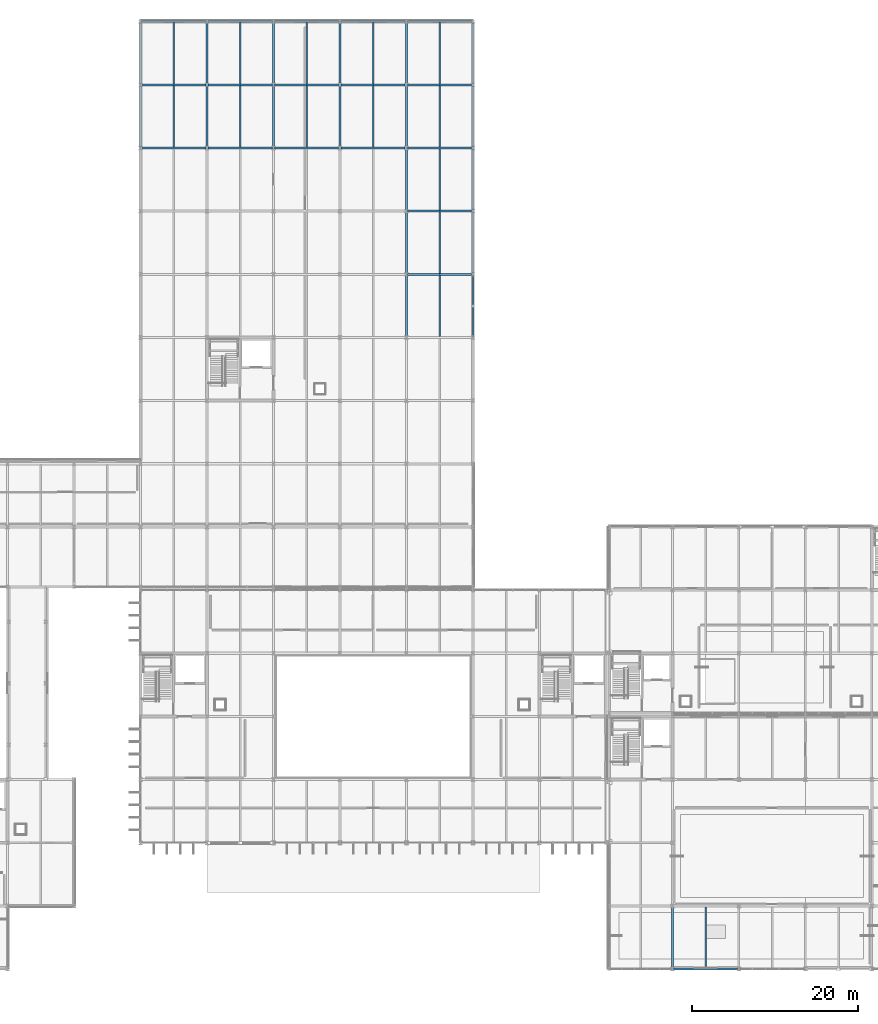
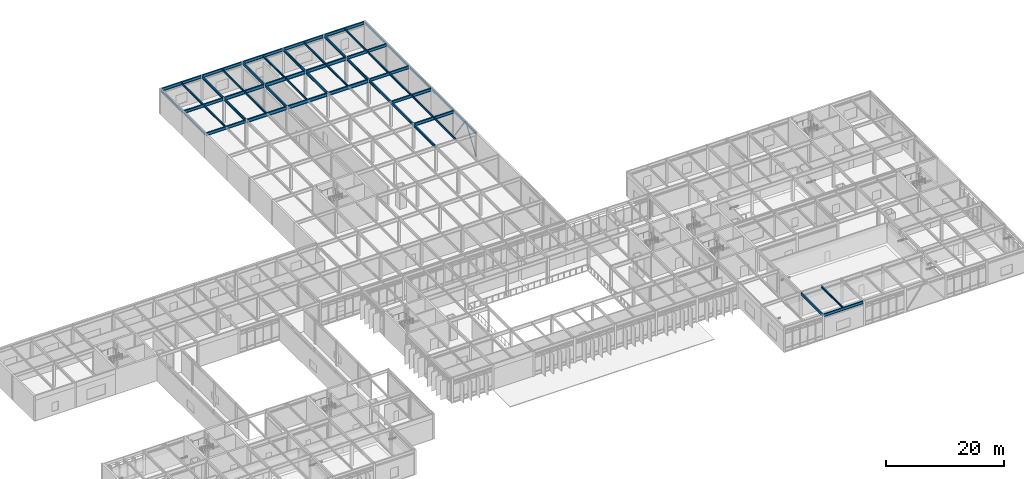
# One storey, part 50 of 94: 51 beams, 2 members.
"""IFC4 building model written with IfcOpenShell, lengths in metres."""

from ifc_helpers import new_model, si_unit, direction, frame, origin, origin_2d, place, context, subcontext, project, spatial, hollow_rectangle, i_section, extrude, material, material_profile, profile_set, type_object, element, save


model = new_model("IFC4")

# Units and contexts
model_context = context("Model", 3, precision=1e-05, world=origin(), true_north=direction((0.0, 1.0)))
body_context = subcontext(model_context, "Body", "Model", "MODEL_VIEW")
ifc_project = project(units=[si_unit("LENGTHUNIT", "METRE"), si_unit("AREAUNIT", "SQUARE_METRE"), si_unit("VOLUMEUNIT", "CUBIC_METRE"), si_unit("PLANEANGLEUNIT", "RADIAN"), si_unit("MASSUNIT", "GRAM", prefix="KILO")], contexts=[model_context])

# Site, building, storey
site_placement = place(None, origin())
site = spatial("IfcSite", under=ifc_project, at=site_placement, CompositionType="ELEMENT")
building_placement = place(site_placement, origin())
building = spatial("IfcBuilding", under=site, at=building_placement, Name="Zulena Civic Courthouse", CompositionType="ELEMENT")
storey_placement = place(building_placement, frame((0.0, 0.0, 5.39990234375)))
storey = spatial("IfcBuildingStorey", under=building, at=storey_placement, Name="L01", CompositionType="ELEMENT", Elevation=5.39990234375)

# Members
ifc_material_1 = material(Name="Steel ASTM A500 Grade C", Category="steel")
ifc_material_profile_1 = material_profile(ifc_material_1, hollow_rectangle(XDim=0.10205078125, YDim=0.202880859375, WallThickness=0.0087890625, at=origin_2d()), Name="HSS8X4X3/8")
ifc_profile_set_1 = profile_set([ifc_material_profile_1], Name="Steel ASTM A500 Grade C")
member_type = type_object("IfcMemberType", Name="Brace_HSS8X4", PredefinedType="BRACE", material=ifc_profile_set_1)
member_1_placement = place(storey_placement, frame((108.0, 76.14990234375, 0.010009765625), z_axis=(0.0, 0.572927666345, 0.819605935274), x_axis=(-1.0, 0.0, 0.0)))
element("IfcMember", 1, at=member_1_placement, inside=storey, type_object=member_type, Name="brace:V5:L01:6:0", PredefinedType="BRACE", context=body_context, shape_type="SweptSolid", body=[
    extrude(hollow_rectangle(XDim=0.10205078125, YDim=0.202880859375, WallThickness=0.0087890625, at=origin_2d()), origin(), (0.0, 0.0, 1.0), 6.28369140625),
])
member_2_placement = place(storey_placement, frame((108.0, 83.449951171875, 0.010009765625), z_axis=(0.0, -0.572901565759, 0.819624179701), x_axis=(1.0, 0.0, 0.0)))
element("IfcMember", 2, at=member_2_placement, inside=storey, type_object=member_type, Name="brace:V5:L01:6:1", PredefinedType="BRACE", context=body_context, shape_type="SweptSolid", body=[
    extrude(hollow_rectangle(XDim=0.10205078125, YDim=0.202880859375, WallThickness=0.0087890625, at=origin_2d()), origin(), (0.0, 0.0, 1.0), 6.283447265625),
])

# Beams
ifc_material_2 = material(Name="Steel ASTM A992 Grade 50", Category="steel")
ifc_material_profile_2 = material_profile(ifc_material_2, i_section(OverallWidth=0.214111328125, OverallDepth=0.549072265625, WebThickness=0.0146484375, FlangeThickness=0.023681640625, FilletRadius=0.0126953125, at=origin_2d()), Name="W21X93")
ifc_profile_set_2 = profile_set([ifc_material_profile_2], Name="Steel ASTM A992 Grade 50")
beam_type_1 = type_object("IfcBeamType", Name="Girder_W21X93", PredefinedType="BEAM", material=ifc_profile_set_2)
for number, where, z_axis, x_axis, name in (
    (3, (76.0, 98.945068359375, 4.91064453125), (0.0, 1.0, 0.0), (-1.0, 0.0, 0.0), "beam:Y:V5:L01:76.0:98.8_106.4"),
    (4, (84.0, 98.945068359375, 4.91064453125), (0.0, 1.0, 0.0), (-1.0, 0.0, 0.0), "beam:Y:V5:L01:84.0:98.8_106.4"),
    (5, (92.0, 98.945068359375, 4.91064453125), (0.0, 1.0, 0.0), (-1.0, 0.0, 0.0), "beam:Y:V5:L01:92.0:98.8_106.4"),
):
    element("IfcBeam", number, at=place(storey_placement, frame(where, z_axis=z_axis, x_axis=x_axis)), inside=storey, type_object=beam_type_1, Name=name, PredefinedType="BEAM", context=body_context, shape_type="SweptSolid", body=[
        extrude(i_section(OverallWidth=0.214111328125, OverallDepth=0.549072265625, WebThickness=0.0146484375, FlangeThickness=0.023681640625, FilletRadius=0.0126953125, at=origin_2d()), origin(), (0.0, 0.0, 1.0), 7.309814453125),
    ])
beam_1_placement = place(storey_placement, frame((100.0, 76.14501953125, 4.91064453125), z_axis=(0.0, 1.0, 0.0), x_axis=(-1.0, 0.0, 0.0)))
element("IfcBeam", 6, at=beam_1_placement, inside=storey, type_object=beam_type_1, Name="beam:Y:V5:L01:100.0:76.0_83.6", PredefinedType="BEAM", context=body_context, shape_type="SweptSolid", body=[
    extrude(i_section(OverallWidth=0.214111328125, OverallDepth=0.549072265625, WebThickness=0.0146484375, FlangeThickness=0.023681640625, FilletRadius=0.0126953125, at=origin_2d()), origin(), (0.0, 0.0, 1.0), 7.31005859375),
])
beam_2_placement = place(storey_placement, frame((100.0, 83.7451171875, 4.91064453125), z_axis=(0.0, 1.0, 0.0), x_axis=(-1.0, 0.0, 0.0)))
element("IfcBeam", 7, at=beam_2_placement, inside=storey, type_object=beam_type_1, Name="beam:Y:V5:L01:100.0:83.6_91.2", PredefinedType="BEAM", context=body_context, shape_type="SweptSolid", body=[
    extrude(i_section(OverallWidth=0.214111328125, OverallDepth=0.549072265625, WebThickness=0.0146484375, FlangeThickness=0.023681640625, FilletRadius=0.0126953125, at=origin_2d()), origin(), (0.0, 0.0, 1.0), 7.309814453125),
])
beam_3_placement = place(storey_placement, frame((100.0, 91.344970703125, 4.91064453125), z_axis=(0.0, 1.0, 0.0), x_axis=(-1.0, 0.0, 0.0)))
element("IfcBeam", 8, at=beam_3_placement, inside=storey, type_object=beam_type_1, Name="beam:Y:V5:L01:100.0:91.2_98.8", PredefinedType="BEAM", context=body_context, shape_type="SweptSolid", body=[
    extrude(i_section(OverallWidth=0.214111328125, OverallDepth=0.549072265625, WebThickness=0.0146484375, FlangeThickness=0.023681640625, FilletRadius=0.0126953125, at=origin_2d()), origin(), (0.0, 0.0, 1.0), 7.31005859375),
])
beam_4_placement = place(storey_placement, frame((100.0, 98.945068359375, 4.91064453125), z_axis=(0.0, 1.0, 0.0), x_axis=(-1.0, 0.0, 0.0)))
element("IfcBeam", 9, at=beam_4_placement, inside=storey, type_object=beam_type_1, Name="beam:Y:V5:L01:100.0:98.8_106.4", PredefinedType="BEAM", context=body_context, shape_type="SweptSolid", body=[
    extrude(i_section(OverallWidth=0.214111328125, OverallDepth=0.549072265625, WebThickness=0.0146484375, FlangeThickness=0.023681640625, FilletRadius=0.0126953125, at=origin_2d()), origin(), (0.0, 0.0, 1.0), 7.309814453125),
])
ifc_material_profile_3 = material_profile(ifc_material_2, i_section(OverallWidth=0.25390625, OverallDepth=0.701904296875, WebThickness=0.015380859375, FlangeThickness=0.02783203125, FilletRadius=0.0166015625, at=origin_2d()), Name="W27X129")
ifc_profile_set_3 = profile_set([ifc_material_profile_3], Name="Steel ASTM A992 Grade 50")
beam_type_2 = type_object("IfcBeamType", Name="Girder_W27X129", PredefinedType="BEAM", material=ifc_profile_set_3)
for number, where, z_axis, x_axis, name in (
    (10, (76.14501953125, 98.800048828125, 4.833984375), (1.0, 0.0, 0.0), (0.0, 1.0, 0.0), "beam:X:V5:L01:98.8:76.0_84.0"),
    (11, (84.14501953125, 98.800048828125, 4.833984375), (1.0, 0.0, 0.0), (0.0, 1.0, 0.0), "beam:X:V5:L01:98.8:84.0_92.0"),
    (12, (92.14501953125, 98.800048828125, 4.833984375), (1.0, 0.0, 0.0), (0.0, 1.0, 0.0), "beam:X:V5:L01:98.8:92.0_100.0"),
    (13, (76.14501953125, 106.39990234375, 4.833984375), (1.0, 0.0, 0.0), (0.0, 1.0, 0.0), "beam:X:V5:L01:106.4:76.0_84.0"),
    (14, (84.14501953125, 106.39990234375, 4.833984375), (1.0, 0.0, 0.0), (0.0, 1.0, 0.0), "beam:X:V5:L01:106.4:84.0_92.0"),
    (15, (92.14501953125, 106.39990234375, 4.833984375), (1.0, 0.0, 0.0), (0.0, 1.0, 0.0), "beam:X:V5:L01:106.4:92.0_100.0"),
):
    element("IfcBeam", number, at=place(storey_placement, frame(where, z_axis=z_axis, x_axis=x_axis)), inside=storey, type_object=beam_type_2, Name=name, PredefinedType="BEAM", context=body_context, shape_type="SweptSolid", body=[
        extrude(i_section(OverallWidth=0.25390625, OverallDepth=0.701904296875, WebThickness=0.015380859375, FlangeThickness=0.02783203125, FilletRadius=0.0166015625, at=origin_2d()), origin(), (0.0, 0.0, 1.0), 7.7099609375),
    ])
ifc_material_profile_4 = material_profile(ifc_material_2, i_section(OverallWidth=0.177978515625, OverallDepth=0.406005859375, WebThickness=0.0078125, FlangeThickness=0.0126953125, FilletRadius=0.01025390625, at=origin_2d()), Name="W16X40")
ifc_profile_set_4 = profile_set([ifc_material_profile_4], Name="Steel ASTM A992 Grade 50")
beam_type_3 = type_object("IfcBeamType", Name="Joist_W16X40", PredefinedType="JOIST", material=ifc_profile_set_4)
beam_5_placement = place(storey_placement, frame((72.0, 98.905029296875, 4.982177734375), z_axis=(0.0, 1.0, 0.0), x_axis=(-1.0, 0.0, 0.0)))
element("IfcBeam", 16, at=beam_5_placement, inside=storey, type_object=beam_type_3, Name="joist:V5:L01:72.00:98.8_106.4", PredefinedType="JOIST", context=body_context, shape_type="SweptSolid", body=[
    extrude(i_section(OverallWidth=0.177978515625, OverallDepth=0.406005859375, WebThickness=0.0078125, FlangeThickness=0.0126953125, FilletRadius=0.01025390625, at=origin_2d()), origin(), (0.0, 0.0, 1.0), 7.389892578125),
])
beam_6_placement = place(storey_placement, frame((72.0, 106.5048828125, 4.982177734375), z_axis=(0.0, 1.0, 0.0), x_axis=(-1.0, 0.0, 0.0)))
element("IfcBeam", 17, at=beam_6_placement, inside=storey, type_object=beam_type_3, Name="joist:V5:L01:72.00:106.4_114.0", PredefinedType="JOIST", context=body_context, shape_type="SweptSolid", body=[
    extrude(i_section(OverallWidth=0.177978515625, OverallDepth=0.406005859375, WebThickness=0.0078125, FlangeThickness=0.0126953125, FilletRadius=0.01025390625, at=origin_2d()), origin(), (0.0, 0.0, 1.0), 7.39013671875),
])
beam_7_placement = place(storey_placement, frame((80.0, 98.905029296875, 4.982177734375), z_axis=(0.0, 1.0, 0.0), x_axis=(-1.0, 0.0, 0.0)))
element("IfcBeam", 18, at=beam_7_placement, inside=storey, type_object=beam_type_3, Name="joist:V5:L01:80.00:98.8_106.4", PredefinedType="JOIST", context=body_context, shape_type="SweptSolid", body=[
    extrude(i_section(OverallWidth=0.177978515625, OverallDepth=0.406005859375, WebThickness=0.0078125, FlangeThickness=0.0126953125, FilletRadius=0.01025390625, at=origin_2d()), origin(), (0.0, 0.0, 1.0), 7.389892578125),
])
beam_8_placement = place(storey_placement, frame((80.0, 106.5048828125, 4.982177734375), z_axis=(0.0, 1.0, 0.0), x_axis=(-1.0, 0.0, 0.0)))
element("IfcBeam", 19, at=beam_8_placement, inside=storey, type_object=beam_type_3, Name="joist:V5:L01:80.00:106.4_114.0", PredefinedType="JOIST", context=body_context, shape_type="SweptSolid", body=[
    extrude(i_section(OverallWidth=0.177978515625, OverallDepth=0.406005859375, WebThickness=0.0078125, FlangeThickness=0.0126953125, FilletRadius=0.01025390625, at=origin_2d()), origin(), (0.0, 0.0, 1.0), 7.39013671875),
])
beam_9_placement = place(storey_placement, frame((88.0, 98.905029296875, 4.982177734375), z_axis=(0.0, 1.0, 0.0), x_axis=(-1.0, 0.0, 0.0)))
element("IfcBeam", 20, at=beam_9_placement, inside=storey, type_object=beam_type_3, Name="joist:V5:L01:88.00:98.8_106.4", PredefinedType="JOIST", context=body_context, shape_type="SweptSolid", body=[
    extrude(i_section(OverallWidth=0.177978515625, OverallDepth=0.406005859375, WebThickness=0.0078125, FlangeThickness=0.0126953125, FilletRadius=0.01025390625, at=origin_2d()), origin(), (0.0, 0.0, 1.0), 7.389892578125),
])
beam_10_placement = place(storey_placement, frame((88.0, 106.5048828125, 4.982177734375), z_axis=(0.0, 1.0, 0.0), x_axis=(-1.0, 0.0, 0.0)))
element("IfcBeam", 21, at=beam_10_placement, inside=storey, type_object=beam_type_3, Name="joist:V5:L01:88.00:106.4_114.0", PredefinedType="JOIST", context=body_context, shape_type="SweptSolid", body=[
    extrude(i_section(OverallWidth=0.177978515625, OverallDepth=0.406005859375, WebThickness=0.0078125, FlangeThickness=0.0126953125, FilletRadius=0.01025390625, at=origin_2d()), origin(), (0.0, 0.0, 1.0), 7.39013671875),
])
beam_11_placement = place(storey_placement, frame((96.0, 98.905029296875, 4.982177734375), z_axis=(0.0, 1.0, 0.0), x_axis=(-1.0, 0.0, 0.0)))
element("IfcBeam", 22, at=beam_11_placement, inside=storey, type_object=beam_type_3, Name="joist:V5:L01:96.00:98.8_106.4", PredefinedType="JOIST", context=body_context, shape_type="SweptSolid", body=[
    extrude(i_section(OverallWidth=0.177978515625, OverallDepth=0.406005859375, WebThickness=0.0078125, FlangeThickness=0.0126953125, FilletRadius=0.01025390625, at=origin_2d()), origin(), (0.0, 0.0, 1.0), 7.389892578125),
])
for number, where, z_axis, x_axis, name in (
    (23, (96.0, 106.5048828125, 4.982177734375), (0.0, 1.0, 0.0), (-1.0, 0.0, 0.0), "joist:V5:L01:96.00:106.4_114.0"),
    (24, (104.0, 76.10498046875, 4.982177734375), (0.0, 1.0, 0.0), (-1.0, 0.0, 0.0), "joist:V5:L01:104.00:76.0_83.6"),
):
    element("IfcBeam", number, at=place(storey_placement, frame(where, z_axis=z_axis, x_axis=x_axis)), inside=storey, type_object=beam_type_3, Name=name, PredefinedType="JOIST", context=body_context, shape_type="SweptSolid", body=[
        extrude(i_section(OverallWidth=0.177978515625, OverallDepth=0.406005859375, WebThickness=0.0078125, FlangeThickness=0.0126953125, FilletRadius=0.01025390625, at=origin_2d()), origin(), (0.0, 0.0, 1.0), 7.39013671875),
    ])
beam_12_placement = place(storey_placement, frame((104.0, 83.705078125, 4.982177734375), z_axis=(0.0, 1.0, 0.0), x_axis=(-1.0, 0.0, 0.0)))
element("IfcBeam", 25, at=beam_12_placement, inside=storey, type_object=beam_type_3, Name="joist:V5:L01:104.00:83.6_91.2", PredefinedType="JOIST", context=body_context, shape_type="SweptSolid", body=[
    extrude(i_section(OverallWidth=0.177978515625, OverallDepth=0.406005859375, WebThickness=0.0078125, FlangeThickness=0.0126953125, FilletRadius=0.01025390625, at=origin_2d()), origin(), (0.0, 0.0, 1.0), 7.389892578125),
])
beam_13_placement = place(storey_placement, frame((104.0, 91.304931640625, 4.982177734375), z_axis=(0.0, 1.0, 0.0), x_axis=(-1.0, 0.0, 0.0)))
element("IfcBeam", 26, at=beam_13_placement, inside=storey, type_object=beam_type_3, Name="joist:V5:L01:104.00:91.2_98.8", PredefinedType="JOIST", context=body_context, shape_type="SweptSolid", body=[
    extrude(i_section(OverallWidth=0.177978515625, OverallDepth=0.406005859375, WebThickness=0.0078125, FlangeThickness=0.0126953125, FilletRadius=0.01025390625, at=origin_2d()), origin(), (0.0, 0.0, 1.0), 7.39013671875),
])
beam_14_placement = place(storey_placement, frame((104.0, 98.905029296875, 4.982177734375), z_axis=(0.0, 1.0, 0.0), x_axis=(-1.0, 0.0, 0.0)))
element("IfcBeam", 27, at=beam_14_placement, inside=storey, type_object=beam_type_3, Name="joist:V5:L01:104.00:98.8_106.4", PredefinedType="JOIST", context=body_context, shape_type="SweptSolid", body=[
    extrude(i_section(OverallWidth=0.177978515625, OverallDepth=0.406005859375, WebThickness=0.0078125, FlangeThickness=0.0126953125, FilletRadius=0.01025390625, at=origin_2d()), origin(), (0.0, 0.0, 1.0), 7.389892578125),
])
beam_15_placement = place(storey_placement, frame((104.0, 106.5048828125, 4.982177734375), z_axis=(0.0, 1.0, 0.0), x_axis=(-1.0, 0.0, 0.0)))
element("IfcBeam", 28, at=beam_15_placement, inside=storey, type_object=beam_type_3, Name="joist:V5:L01:104.00:106.4_114.0", PredefinedType="JOIST", context=body_context, shape_type="SweptSolid", body=[
    extrude(i_section(OverallWidth=0.177978515625, OverallDepth=0.406005859375, WebThickness=0.0078125, FlangeThickness=0.0126953125, FilletRadius=0.01025390625, at=origin_2d()), origin(), (0.0, 0.0, 1.0), 7.39013671875),
])
ifc_material_profile_5 = material_profile(ifc_material_2, i_section(OverallWidth=0.180908203125, OverallDepth=0.4169921875, WebThickness=0.010986328125, FlangeThickness=0.018310546875, FilletRadius=0.01025390625, at=origin_2d()), Name="W16X57")
ifc_profile_set_5 = profile_set([ifc_material_profile_5], Name="Steel ASTM A992 Grade 50")
beam_type_4 = type_object("IfcBeamType", Name="Joist_W16X57", PredefinedType="JOIST", material=ifc_profile_set_5)
beam_16_placement = place(storey_placement, frame((136.0, 0.10498046875, 4.9765625), z_axis=(0.0, 1.0, 0.0), x_axis=(-1.0, 0.0, 0.0)))
element("IfcBeam", 29, at=beam_16_placement, inside=storey, type_object=beam_type_4, Name="joist:V1:L01:136.00:0.0_7.6", PredefinedType="JOIST", context=body_context, shape_type="SweptSolid", body=[
    extrude(i_section(OverallWidth=0.180908203125, OverallDepth=0.4169921875, WebThickness=0.010986328125, FlangeThickness=0.018310546875, FilletRadius=0.01025390625, at=origin_2d()), origin(), (0.0, 0.0, 1.0), 7.39013671875),
])
ifc_material_profile_6 = material_profile(ifc_material_2, i_section(OverallWidth=0.2099609375, OverallDepth=0.537109375, WebThickness=0.010986328125, FlangeThickness=0.017333984375, FilletRadius=0.0126953125, at=origin_2d()), Name="W21X68")
ifc_profile_set_6 = profile_set([ifc_material_profile_6], Name="Steel ASTM A992 Grade 50")
beam_type_5 = type_object("IfcBeamType", Name="Spandrel_W21X68", PredefinedType="SPANDREL", material=ifc_profile_set_6)
beam_17_placement = place(storey_placement, frame((132.0, 0.14501953125, 4.91650390625), z_axis=(0.0, 1.0, 0.0), x_axis=(-1.0, 0.0, 0.0)))
element("IfcBeam", 30, at=beam_17_placement, inside=storey, type_object=beam_type_5, Name="beam:Y:V1:L01:132.0:0.0_7.6", PredefinedType="SPANDREL", context=body_context, shape_type="SweptSolid", body=[
    extrude(i_section(OverallWidth=0.2099609375, OverallDepth=0.537109375, WebThickness=0.010986328125, FlangeThickness=0.017333984375, FilletRadius=0.0126953125, at=origin_2d()), origin(), (0.0, 0.0, 1.0), 7.31005859375),
])
beam_18_placement = place(storey_placement, frame((68.0, 98.945068359375, 4.91650390625), z_axis=(0.0, 1.0, 0.0), x_axis=(-1.0, 0.0, 0.0)))
element("IfcBeam", 31, at=beam_18_placement, inside=storey, type_object=beam_type_5, Name="beam:Y:V5:L01:68.0:98.8_106.4", PredefinedType="SPANDREL", context=body_context, shape_type="SweptSolid", body=[
    extrude(i_section(OverallWidth=0.2099609375, OverallDepth=0.537109375, WebThickness=0.010986328125, FlangeThickness=0.017333984375, FilletRadius=0.0126953125, at=origin_2d()), origin(), (0.0, 0.0, 1.0), 7.309814453125),
])
for number, where, z_axis, x_axis, name in (
    (32, (68.0, 106.544921875, 4.91650390625), (0.0, 1.0, 0.0), (-1.0, 0.0, 0.0), "beam:Y:V5:L01:68.0:106.4_114.0"),
    (33, (76.0, 106.544921875, 4.91650390625), (0.0, 1.0, 0.0), (-1.0, 0.0, 0.0), "beam:Y:V5:L01:76.0:106.4_114.0"),
    (34, (84.0, 106.544921875, 4.91650390625), (0.0, 1.0, 0.0), (-1.0, 0.0, 0.0), "beam:Y:V5:L01:84.0:106.4_114.0"),
    (35, (92.0, 106.544921875, 4.91650390625), (0.0, 1.0, 0.0), (-1.0, 0.0, 0.0), "beam:Y:V5:L01:92.0:106.4_114.0"),
    (36, (100.0, 106.544921875, 4.91650390625), (0.0, 1.0, 0.0), (-1.0, 0.0, 0.0), "beam:Y:V5:L01:100.0:106.4_114.0"),
    (37, (108.0, 76.14501953125, 4.91650390625), (0.0, 1.0, 0.0), (-1.0, 0.0, 0.0), "beam:Y:V5:L01:108.0:76.0_83.6"),
):
    element("IfcBeam", number, at=place(storey_placement, frame(where, z_axis=z_axis, x_axis=x_axis)), inside=storey, type_object=beam_type_5, Name=name, PredefinedType="SPANDREL", context=body_context, shape_type="SweptSolid", body=[
        extrude(i_section(OverallWidth=0.2099609375, OverallDepth=0.537109375, WebThickness=0.010986328125, FlangeThickness=0.017333984375, FilletRadius=0.0126953125, at=origin_2d()), origin(), (0.0, 0.0, 1.0), 7.31005859375),
    ])
beam_19_placement = place(storey_placement, frame((108.0, 83.7451171875, 4.91650390625), z_axis=(0.0, 1.0, 0.0), x_axis=(-1.0, 0.0, 0.0)))
element("IfcBeam", 38, at=beam_19_placement, inside=storey, type_object=beam_type_5, Name="beam:Y:V5:L01:108.0:83.6_91.2", PredefinedType="SPANDREL", context=body_context, shape_type="SweptSolid", body=[
    extrude(i_section(OverallWidth=0.2099609375, OverallDepth=0.537109375, WebThickness=0.010986328125, FlangeThickness=0.017333984375, FilletRadius=0.0126953125, at=origin_2d()), origin(), (0.0, 0.0, 1.0), 7.309814453125),
])
beam_20_placement = place(storey_placement, frame((108.0, 91.344970703125, 4.91650390625), z_axis=(0.0, 1.0, 0.0), x_axis=(-1.0, 0.0, 0.0)))
element("IfcBeam", 39, at=beam_20_placement, inside=storey, type_object=beam_type_5, Name="beam:Y:V5:L01:108.0:91.2_98.8", PredefinedType="SPANDREL", context=body_context, shape_type="SweptSolid", body=[
    extrude(i_section(OverallWidth=0.2099609375, OverallDepth=0.537109375, WebThickness=0.010986328125, FlangeThickness=0.017333984375, FilletRadius=0.0126953125, at=origin_2d()), origin(), (0.0, 0.0, 1.0), 7.31005859375),
])
beam_21_placement = place(storey_placement, frame((108.0, 98.945068359375, 4.91650390625), z_axis=(0.0, 1.0, 0.0), x_axis=(-1.0, 0.0, 0.0)))
element("IfcBeam", 40, at=beam_21_placement, inside=storey, type_object=beam_type_5, Name="beam:Y:V5:L01:108.0:98.8_106.4", PredefinedType="SPANDREL", context=body_context, shape_type="SweptSolid", body=[
    extrude(i_section(OverallWidth=0.2099609375, OverallDepth=0.537109375, WebThickness=0.010986328125, FlangeThickness=0.017333984375, FilletRadius=0.0126953125, at=origin_2d()), origin(), (0.0, 0.0, 1.0), 7.309814453125),
])
beam_22_placement = place(storey_placement, frame((108.0, 106.544921875, 4.91650390625), z_axis=(0.0, 1.0, 0.0), x_axis=(-1.0, 0.0, 0.0)))
element("IfcBeam", 41, at=beam_22_placement, inside=storey, type_object=beam_type_5, Name="beam:Y:V5:L01:108.0:106.4_114.0", PredefinedType="SPANDREL", context=body_context, shape_type="SweptSolid", body=[
    extrude(i_section(OverallWidth=0.2099609375, OverallDepth=0.537109375, WebThickness=0.010986328125, FlangeThickness=0.017333984375, FilletRadius=0.0126953125, at=origin_2d()), origin(), (0.0, 0.0, 1.0), 7.31005859375),
])
ifc_material_profile_7 = material_profile(ifc_material_2, i_section(OverallWidth=0.22998046875, OverallDepth=0.616943359375, WebThickness=0.01318359375, FlangeThickness=0.022216796875, FilletRadius=0.0126953125, at=origin_2d()), Name="W24X94")
ifc_profile_set_7 = profile_set([ifc_material_profile_7], Name="Steel ASTM A992 Grade 50")
beam_type_6 = type_object("IfcBeamType", Name="Spandrel_W24X94", PredefinedType="SPANDREL", material=ifc_profile_set_7)
for number, where, z_axis, x_axis, name in (
    (42, (132.14501953125, 0.0, 4.876708984375), (1.0, 0.0, 0.0), (0.0, 1.0, 0.0), "beam:X:V1:L01:0.0:132.0_140.0"),
    (43, (100.14501953125, 83.60009765625, 4.876708984375), (1.0, 0.0, 0.0), (0.0, 1.0, 0.0), "beam:X:V5:L01:83.6:100.0_108.0"),
    (44, (100.14501953125, 91.199951171875, 4.876708984375), (1.0, 0.0, 0.0), (0.0, 1.0, 0.0), "beam:X:V5:L01:91.2:100.0_108.0"),
    (45, (68.14501953125, 98.800048828125, 4.876708984375), (1.0, 0.0, 0.0), (0.0, 1.0, 0.0), "beam:X:V5:L01:98.8:68.0_76.0"),
    (46, (100.14501953125, 98.800048828125, 4.876708984375), (1.0, 0.0, 0.0), (0.0, 1.0, 0.0), "beam:X:V5:L01:98.8:100.0_108.0"),
    (47, (68.14501953125, 106.39990234375, 4.876708984375), (1.0, 0.0, 0.0), (0.0, 1.0, 0.0), "beam:X:V5:L01:106.4:68.0_76.0"),
    (48, (100.14501953125, 106.39990234375, 4.876708984375), (1.0, 0.0, 0.0), (0.0, 1.0, 0.0), "beam:X:V5:L01:106.4:100.0_108.0"),
    (49, (68.14501953125, 114.0, 4.876708984375), (1.0, 0.0, 0.0), (0.0, 1.0, 0.0), "beam:X:V5:L01:114.0:68.0_76.0"),
    (50, (76.14501953125, 114.0, 4.876708984375), (1.0, 0.0, 0.0), (0.0, 1.0, 0.0), "beam:X:V5:L01:114.0:76.0_84.0"),
    (51, (84.14501953125, 114.0, 4.876708984375), (1.0, 0.0, 0.0), (0.0, 1.0, 0.0), "beam:X:V5:L01:114.0:84.0_92.0"),
    (52, (92.14501953125, 114.0, 4.876708984375), (1.0, 0.0, 0.0), (0.0, 1.0, 0.0), "beam:X:V5:L01:114.0:92.0_100.0"),
    (53, (100.14501953125, 114.0, 4.876708984375), (1.0, 0.0, 0.0), (0.0, 1.0, 0.0), "beam:X:V5:L01:114.0:100.0_108.0"),
):
    element("IfcBeam", number, at=place(storey_placement, frame(where, z_axis=z_axis, x_axis=x_axis)), inside=storey, type_object=beam_type_6, Name=name, PredefinedType="SPANDREL", context=body_context, shape_type="SweptSolid", body=[
        extrude(i_section(OverallWidth=0.22998046875, OverallDepth=0.616943359375, WebThickness=0.01318359375, FlangeThickness=0.022216796875, FilletRadius=0.0126953125, at=origin_2d()), origin(), (0.0, 0.0, 1.0), 7.7099609375),
    ])

save(model, "model.ifc")
